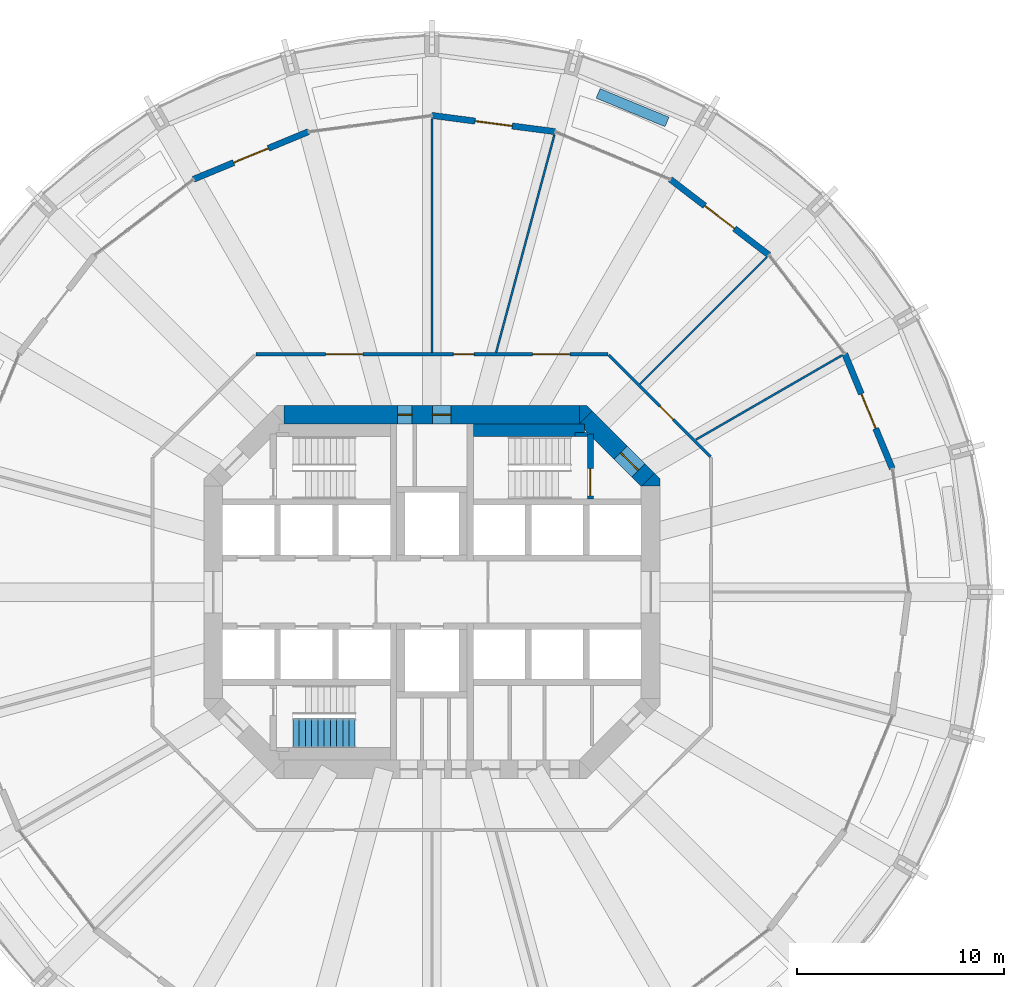
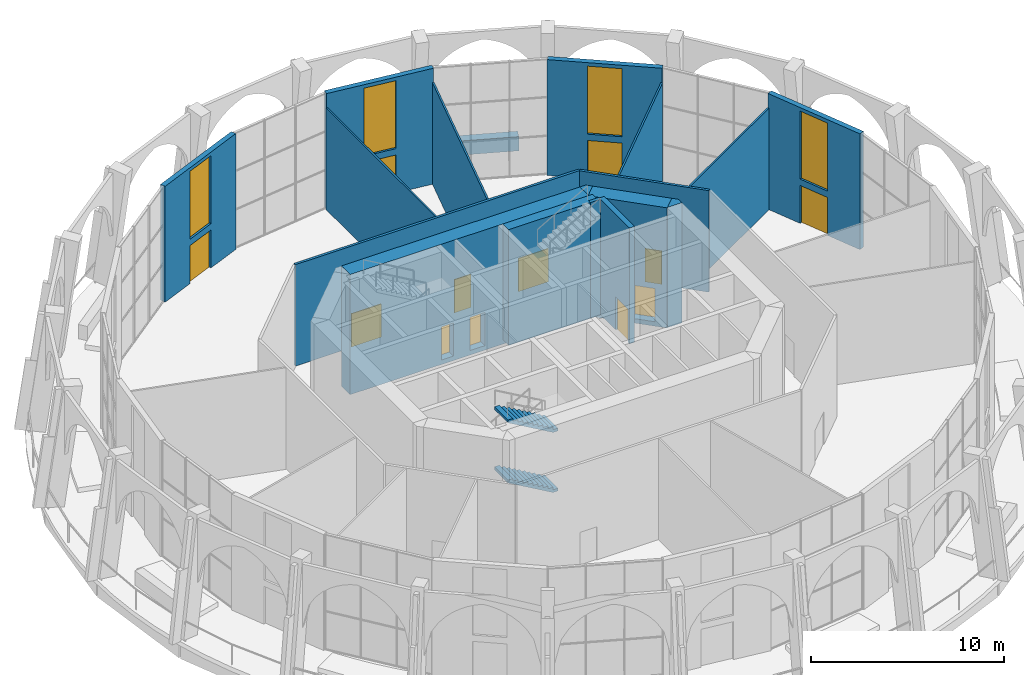
# One storey, part 15 of 19: 18 walls, 12 doors, 4 windows, 2 stair flights, 16 openings, 1 element without a shape of its own.
"""IFC4 building model written with IfcOpenShell, lengths in metres."""

from ifc_helpers import new_model, si_unit, direction, frame, frame_2d, origin, place, context, subcontext, project, spatial, polyline, rectangle, outline, extrude, material, layer, layer_set, type_object, element, fill, aggregate, save


model = new_model("IFC4")

# Units and contexts
model_context = context("Model", 3, precision=1e-05, world=origin(), true_north=direction((0.0, 1.0)))
body_context = subcontext(model_context, "Body", "Model", "MODEL_VIEW")
ifc_project = project(units=[si_unit("LENGTHUNIT", "METRE"), si_unit("AREAUNIT", "SQUARE_METRE"), si_unit("VOLUMEUNIT", "CUBIC_METRE"), si_unit("PLANEANGLEUNIT", "RADIAN"), si_unit("MASSUNIT", "GRAM", prefix="KILO")], contexts=[model_context])

# Site, building, storey
site_placement = place(None, origin())
site = spatial("IfcSite", under=ifc_project, at=site_placement, CompositionType="ELEMENT")
building_placement = place(site_placement, origin())
building = spatial("IfcBuilding", under=site, at=building_placement, Name="Torre Triforio", CompositionType="ELEMENT")
storey_placement = place(building_placement, frame((0.0, 0.0, 79.0)))
storey = spatial("IfcBuildingStorey", under=building, at=storey_placement, Name="L17", CompositionType="ELEMENT", Elevation=79.0)

# Wall, openings, doors
ifc_material_1 = material(Name="Concrete C60", Category="concrete")
ifc_layer_1 = layer(ifc_material_1, 0.89990234375)
ifc_layer_set_1 = layer_set([ifc_layer_1], Name="Concrete C60")
wall_type_1 = type_object("IfcWallType", Name="Core wall 900 mm C60 EI 120", PredefinedType="SHEAR", material=ifc_layer_set_1)
wall_1_placement = place(storey_placement, frame((-7.1298828125, 8.550048828125, -0.280029296875), z_axis=(0.0, 0.0, 1.0), x_axis=(1.0, 0.0, 0.0)))
wall_1 = element("IfcWall", 1, at=wall_1_placement, inside=storey, type_object=wall_type_1, Name="Core wall", PredefinedType="SHEAR", context=body_context, shape_type="SweptSolid", body=[
    extrude(rectangle(XDim=14.259765625, YDim=0.89990234375, at=frame_2d((7.1298828125, 0.0))), origin(), (0.0, 0.0, 1.0), 7.60009765625),
])
opening_1_placement = place(wall_1_placement, frame((5.47998046875, 0.0, 0.280029296875)))
opening_1 = element("IfcOpeningElement", 2, at=opening_1_placement, cuts=wall_1, Name="Opening RISER-N", PredefinedType="OPENING", context=body_context, shape_type="SweptSolid", body=[
    extrude(rectangle(XDim=0.699951171875, YDim=2.10009765625, at=frame_2d((0.35009765625, 1.050048828125))), frame((0.0, 0.4599609375, 0.0), z_axis=(0.0, -1.0, 0.0), x_axis=(1.0, 0.0, 0.0)), (0.0, 0.0, 1.0), 0.919921875),
])
opening_2_placement = place(wall_1_placement, frame((7.155029296875, 0.0, 0.280029296875)))
opening_2 = element("IfcOpeningElement", 3, at=opening_2_placement, cuts=wall_1, Name="Opening NE-01", PredefinedType="OPENING", context=body_context, shape_type="SweptSolid", body=[
    extrude(rectangle(XDim=0.89990234375, YDim=2.10009765625, at=frame_2d((0.449951171875, 1.050048828125))), frame((0.0, 0.4599609375, 0.0), z_axis=(0.0, -1.0, 0.0), x_axis=(1.0, 0.0, 0.0)), (0.0, 0.0, 1.0), 0.919921875),
])
ifc_material_2 = material(Name="Hollow metal fire door leaf")
door_type_1 = type_object("IfcDoorType", Name="Riser door 700 x 2100 EI 60", OperationType="NOTDEFINED", PredefinedType="DOOR", material=ifc_material_2)
door_1_placement = place(opening_1_placement, origin())
door_1 = element("IfcDoor", 4, at=door_1_placement, inside=storey, type_object=door_type_1, Name="Core door RISER-N", OperationType="SINGLE_SWING_LEFT", OverallHeight=2.10009765625, OverallWidth=0.699951171875, PredefinedType="DOOR", context=body_context, shape_type="SweptSolid", body=[
    extrude(rectangle(XDim=0.699951171875, YDim=2.10009765625, at=frame_2d((0.35009765625, 1.050048828125))), frame((0.0, 0.02490234375, 0.0), z_axis=(0.0, -1.0, 0.0), x_axis=(1.0, 0.0, 0.0)), (0.0, 0.0, 1.0), 0.050048828125),
])
fill(opening_1, door_1)
door_type_2 = type_object("IfcDoorType", Name="Room door 900 x 2100 EI 60", OperationType="NOTDEFINED", PredefinedType="DOOR", material=ifc_material_2)
door_2_placement = place(opening_2_placement, origin())
door_2 = element("IfcDoor", 5, at=door_2_placement, inside=storey, type_object=door_type_2, Name="Core door NE-01", OperationType="SINGLE_SWING_RIGHT", OverallHeight=2.10009765625, OverallWidth=0.89990234375, PredefinedType="DOOR", context=body_context, shape_type="SweptSolid", body=[
    extrude(rectangle(XDim=0.89990234375, YDim=2.10009765625, at=frame_2d((0.449951171875, 1.050048828125))), frame((0.0, 0.02490234375, 0.0), z_axis=(0.0, -1.0, 0.0), x_axis=(1.0, 0.0, 0.0)), (0.0, 0.0, 1.0), 0.050048828125),
])
fill(opening_2, door_2)

# Wall, opening, door
wall_2_placement = place(storey_placement, frame((7.418212890625, 8.418212890625, -0.280029296875), z_axis=(0.0, 0.0, 1.0), x_axis=(0.707106781187, -0.707106781187, 0.0)))
wall_2 = element("IfcWall", 6, at=wall_2_placement, inside=storey, type_object=wall_type_1, Name="Core wall", PredefinedType="SHEAR", context=body_context, shape_type="SweptSolid", body=[
    extrude(rectangle(XDim=4.24267578125, YDim=0.89990234375, at=frame_2d((2.121337890625, 0.0))), origin(), (0.0, 0.0, 1.0), 7.60009765625),
])
opening_3_placement = place(wall_2_placement, frame((2.392578125, 0.0, 0.280029296875)))
opening_3 = element("IfcOpeningElement", 7, at=opening_3_placement, cuts=wall_2, Name="Opening ST2-EXIT", PredefinedType="OPENING", context=body_context, shape_type="SweptSolid", body=[
    extrude(rectangle(XDim=1.199951171875, YDim=2.10009765625, at=frame_2d((0.60009765625, 1.050048828125))), frame((0.0, 0.4599609375, 0.0), z_axis=(0.0, -1.0, 0.0), x_axis=(1.0, 0.0, 0.0)), (0.0, 0.0, 1.0), 0.919921875),
])
door_type_3 = type_object("IfcDoorType", Name="Stair lobby door 1200 x 2100 EI 60", OperationType="NOTDEFINED", PredefinedType="DOOR", material=ifc_material_2)
door_3_placement = place(opening_3_placement, origin())
door_3 = element("IfcDoor", 8, at=door_3_placement, inside=storey, type_object=door_type_3, Name="Core door ST2-EXIT", OperationType="SINGLE_SWING_RIGHT", OverallHeight=2.10009765625, OverallWidth=1.199951171875, PredefinedType="DOOR", context=body_context, shape_type="SweptSolid", body=[
    extrude(rectangle(XDim=1.199951171875, YDim=2.10009765625, at=frame_2d((0.60009765625, 1.050048828125))), frame((0.0, 0.02490234375, 0.0), z_axis=(0.0, -1.0, 0.0), x_axis=(1.0, 0.0, 0.0)), (0.0, 0.0, 1.0), 0.050048828125),
])
fill(opening_3, door_3)

# Walls
wall_3_placement = place(storey_placement, frame((0.0, 0.0, -0.280029296875)))
element("IfcWall", 9, at=wall_3_placement, inside=storey, type_object=wall_type_1, Name="Core wall", PredefinedType="SHEAR", context=body_context, shape_type="SweptSolid", body=[
    extrude(outline(polyline([(11.0, 5.472900390625), (11.0, 5.1298828125), (10.1298828125, 5.1298828125), (10.736328125, 5.736328125), (11.0, 5.472900390625)])), origin(), (0.0, 0.0, 1.0), 7.60009765625),
])
wall_4_placement = place(storey_placement, frame((0.0, 0.0, -0.280029296875)))
element("IfcWall", 10, at=wall_4_placement, inside=storey, type_object=wall_type_1, Name="Core wall", PredefinedType="SHEAR", context=body_context, shape_type="SweptSolid", body=[
    extrude(outline(polyline([(7.472900390625, 9.0), (7.736328125, 8.736328125), (7.1298828125, 8.1298828125), (7.1298828125, 9.0), (7.472900390625, 9.0)])), origin(), (0.0, 0.0, 1.0), 7.60009765625),
])

# Wall, openings, doors
ifc_material_3 = material(Name="Plasterboard on metal studs")
ifc_layer_2 = layer(ifc_material_3, 0.14990234375)
ifc_layer_set_2 = layer_set([ifc_layer_2], Name="Plasterboard on metal studs")
wall_type_2 = type_object("IfcWallType", Name="Corridor and tenancy wall 150 mm EI 60", PredefinedType="PARTITIONING", material=ifc_layer_set_2)
wall_5_placement = place(storey_placement, frame((-8.498046875, 11.47509765625, 0.0), z_axis=(0.0, 0.0, 1.0), x_axis=(1.0, 0.0, 0.0)))
wall_5 = element("IfcWall", 11, at=wall_5_placement, inside=storey, type_object=wall_type_2, Name="Partition 6", PredefinedType="PARTITIONING", context=body_context, shape_type="SweptSolid", body=[
    extrude(rectangle(XDim=16.99609375, YDim=0.14990234375, at=frame_2d((8.498046875, 0.0))), origin(), (0.0, 0.0, 1.0), 6.419921875),
])
opening_4_placement = place(wall_5_placement, frame((13.359375, 0.0, 0.0)))
opening_4 = element("IfcOpeningElement", 12, at=opening_4_placement, cuts=wall_5, Name="Opening G1-03", PredefinedType="OPENING", context=body_context, shape_type="SweptSolid", body=[
    extrude(rectangle(XDim=1.800048828125, YDim=2.10009765625, at=frame_2d((0.89990234375, 1.050048828125))), frame((0.0, 0.0849609375, 0.0), z_axis=(0.0, -1.0, 0.0), x_axis=(1.0, 0.0, 0.0)), (0.0, 0.0, 1.0), 0.169921875),
])
opening_5_placement = place(wall_5_placement, frame((9.5361328125, 0.0, 0.0)))
opening_5 = element("IfcOpeningElement", 13, at=opening_5_placement, cuts=wall_5, Name="Opening G1-04", PredefinedType="OPENING", context=body_context, shape_type="SweptSolid", body=[
    extrude(rectangle(XDim=1.0, YDim=2.10009765625, at=frame_2d((0.5, 1.050048828125))), frame((0.0, 0.0849609375, 0.0), z_axis=(0.0, -1.0, 0.0), x_axis=(1.0, 0.0, 0.0)), (0.0, 0.0, 1.0), 0.169921875),
])
opening_6_placement = place(wall_5_placement, frame((3.3740234375, 0.0, 0.0)))
opening_6 = element("IfcOpeningElement", 14, at=opening_6_placement, cuts=wall_5, Name="Opening G1-05", PredefinedType="OPENING", context=body_context, shape_type="SweptSolid", body=[
    extrude(rectangle(XDim=1.800048828125, YDim=2.10009765625, at=frame_2d((0.89990234375, 1.050048828125))), frame((0.0, 0.0849609375, 0.0), z_axis=(0.0, -1.0, 0.0), x_axis=(1.0, 0.0, 0.0)), (0.0, 0.0, 1.0), 0.169921875),
])
ifc_material_4 = material(Name="Timber", Category="wood")
door_type_4 = type_object("IfcDoorType", Name="Door 1000 x 2100 single leaf EI 30", OperationType="NOTDEFINED", PredefinedType="DOOR", material=ifc_material_4)
door_4_placement = place(opening_5_placement, origin())
door_4 = element("IfcDoor", 15, at=door_4_placement, inside=storey, type_object=door_type_4, Name="Door G1-04", OperationType="SINGLE_SWING_LEFT", OverallHeight=2.10009765625, OverallWidth=1.0, PredefinedType="DOOR", context=body_context, shape_type="SweptSolid", body=[
    extrude(rectangle(XDim=1.0, YDim=2.10009765625, at=frame_2d((0.5, 1.050048828125))), frame((0.0, 0.02490234375, 0.0), z_axis=(0.0, -1.0, 0.0), x_axis=(1.0, 0.0, 0.0)), (0.0, 0.0, 1.0), 0.050048828125),
])
fill(opening_5, door_4)
door_type_5 = type_object("IfcDoorType", Name="Door 1800 x 2100 double leaf EI 30", OperationType="DOUBLE_DOOR_SINGLE_SWING", PredefinedType="DOOR", material=ifc_material_4)
door_5_placement = place(opening_4_placement, origin())
door_5 = element("IfcDoor", 16, at=door_5_placement, inside=storey, type_object=door_type_5, Name="Door G1-03", OperationType="DOUBLE_DOOR_SINGLE_SWING", OverallHeight=2.10009765625, OverallWidth=1.800048828125, PredefinedType="DOOR", context=body_context, shape_type="SweptSolid", body=[
    extrude(rectangle(XDim=1.800048828125, YDim=2.10009765625, at=frame_2d((0.89990234375, 1.050048828125))), frame((0.0, 0.02490234375, 0.0), z_axis=(0.0, -1.0, 0.0), x_axis=(1.0, 0.0, 0.0)), (0.0, 0.0, 1.0), 0.050048828125),
])
fill(opening_4, door_5)
door_6_placement = place(opening_6_placement, origin())
door_6 = element("IfcDoor", 17, at=door_6_placement, inside=storey, type_object=door_type_5, Name="Door G1-05", OperationType="DOUBLE_DOOR_SINGLE_SWING", OverallHeight=2.10009765625, OverallWidth=1.800048828125, PredefinedType="DOOR", context=body_context, shape_type="SweptSolid", body=[
    extrude(rectangle(XDim=1.800048828125, YDim=2.10009765625, at=frame_2d((0.89990234375, 1.050048828125))), frame((0.0, 0.02490234375, 0.0), z_axis=(0.0, -1.0, 0.0), x_axis=(1.0, 0.0, 0.0)), (0.0, 0.0, 1.0), 0.050048828125),
])
fill(opening_6, door_6)

# Wall, opening, door
wall_6_placement = place(storey_placement, frame((8.53515625, 11.43798828125, 0.0), z_axis=(0.0, 0.0, 1.0), x_axis=(0.707106781187, -0.707106781187, 0.0)))
wall_6 = element("IfcWall", 18, at=wall_6_placement, inside=storey, type_object=wall_type_2, Name="Partition 7", PredefinedType="PARTITIONING", context=body_context, shape_type="SweptSolid", body=[
    extrude(rectangle(XDim=6.93359375, YDim=0.14990234375, at=frame_2d((3.466796875, 0.0))), origin(), (0.0, 0.0, 1.0), 6.419921875),
])
opening_7_placement = place(wall_6_placement, frame((3.49560546875, 0.0, 0.0)))
opening_7 = element("IfcOpeningElement", 19, at=opening_7_placement, cuts=wall_6, Name="Opening G1-02", PredefinedType="OPENING", context=body_context, shape_type="SweptSolid", body=[
    extrude(rectangle(XDim=0.89990234375, YDim=2.10009765625, at=frame_2d((0.449951171875, 1.050048828125))), frame((0.0, 0.0849609375, 0.0), z_axis=(0.0, -1.0, 0.0), x_axis=(1.0, 0.0, 0.0)), (0.0, 0.0, 1.0), 0.169921875),
])
door_type_6 = type_object("IfcDoorType", Name="Door 900 x 2100 single leaf EI 30", OperationType="NOTDEFINED", PredefinedType="DOOR", material=ifc_material_4)
door_7_placement = place(opening_7_placement, origin())
door_7 = element("IfcDoor", 20, at=door_7_placement, inside=storey, type_object=door_type_6, Name="Door G1-02", OperationType="SINGLE_SWING_LEFT", OverallHeight=2.10009765625, OverallWidth=0.89990234375, PredefinedType="DOOR", context=body_context, shape_type="SweptSolid", body=[
    extrude(rectangle(XDim=0.89990234375, YDim=2.10009765625, at=frame_2d((0.449951171875, 1.050048828125))), frame((0.0, 0.02490234375, 0.0), z_axis=(0.0, -1.0, 0.0), x_axis=(1.0, 0.0, 0.0)), (0.0, 0.0, 1.0), 0.050048828125),
])
fill(opening_7, door_7)

# Walls
ifc_layer_3 = layer(ifc_material_3, 0.10009765625)
ifc_layer_set_3 = layer_set([ifc_layer_3], Name="Plasterboard on metal studs")
wall_type_3 = type_object("IfcWallType", Name="Partition 100 mm board on metal studs", PredefinedType="PARTITIONING", material=ifc_layer_set_3)
wall_7_placement = place(storey_placement, frame((12.742431640625, 7.35693359375, 0.0), z_axis=(0.0, 0.0, 1.0), x_axis=(0.866022418986, 0.500005169787, 0.0)))
element("IfcWall", 21, at=wall_7_placement, inside=storey, type_object=wall_type_3, Name="Partition 10", PredefinedType="PARTITIONING", context=body_context, shape_type="SweptSolid", body=[
    extrude(rectangle(XDim=8.123046875, YDim=0.10009765625, at=frame_2d((4.0615234375, 0.0))), origin(), (0.0, 0.0, 1.0), 6.419921875),
])
wall_8_placement = place(storey_placement, frame((10.03955078125, 10.03955078125, 0.0), z_axis=(0.0, 0.0, 1.0), x_axis=(0.707106781187, 0.707106781187, 0.0)))
element("IfcWall", 22, at=wall_8_placement, inside=storey, type_object=wall_type_3, Name="Partition 11", PredefinedType="PARTITIONING", context=body_context, shape_type="SweptSolid", body=[
    extrude(rectangle(XDim=8.638671875, YDim=0.10009765625, at=frame_2d((4.3193359375, 0.0))), origin(), (0.0, 0.0, 1.0), 6.419921875),
])
wall_9_placement = place(storey_placement, frame((3.0986328125, 11.564208984375, 0.0), z_axis=(0.0, 0.0, 1.0), x_axis=(0.258823321379, 0.965924680454, 0.0)))
element("IfcWall", 23, at=wall_9_placement, inside=storey, type_object=wall_type_3, Name="Partition 12", PredefinedType="PARTITIONING", context=body_context, shape_type="SweptSolid", body=[
    extrude(rectangle(XDim=10.864501953125, YDim=0.10009765625, at=frame_2d((5.43212890625, 0.0))), origin(), (0.0, 0.0, 1.0), 6.419921875),
])
wall_10_placement = place(storey_placement, frame((0.0, 11.550048828125, 0.0), z_axis=(0.0, 0.0, 1.0), x_axis=(0.0, 1.0, 0.0)))
element("IfcWall", 24, at=wall_10_placement, inside=storey, type_object=wall_type_3, Name="Partition 13", PredefinedType="PARTITIONING", context=body_context, shape_type="SweptSolid", body=[
    extrude(rectangle(XDim=11.28662109375, YDim=0.10009765625, at=frame_2d((5.643310546875, 0.0))), origin(), (0.0, 0.0, 1.0), 6.419921875),
])
ifc_material_5 = material(Name="Limestone cladding", Category="masonry")
ifc_layer_4 = layer(ifc_material_5, 0.10009765625)
ifc_material_6 = material(Name="Concrete C40", Category="concrete")
ifc_layer_5 = layer(ifc_material_6, 0.39990234375)
ifc_layer_set_4 = layer_set([ifc_layer_4, ifc_layer_5], Name="Limestone cladding / Concrete C40")
wall_type_4 = type_object("IfcWallType", Name="Planter wall 500", PredefinedType="PARAPET", material=ifc_layer_set_4)
wall_11_placement = place(storey_placement, frame((11.344970703125, 22.685302734375, 0.0), z_axis=(0.0, 0.0, 1.0), x_axis=(-0.923885420167, 0.382669217998, 0.0)))
element("IfcWall", 25, at=wall_11_placement, inside=storey, type_object=wall_type_4, Name="Planter L17 bay 05", PredefinedType="PARAPET", context=body_context, shape_type="SweptSolid", body=[
    extrude(rectangle(XDim=3.60009765625, YDim=0.5, at=frame_2d((1.800048828125, 0.0))), origin(), (0.0, 0.0, 1.0), 0.89990234375),
])
ifc_layer_6 = layer(ifc_material_1, 0.199951171875)
ifc_layer_set_5 = layer_set([ifc_layer_6], Name="Concrete C60")
wall_type_5 = type_object("IfcWallType", Name="Stair wall 200 mm C60 EI 120", PredefinedType="SHEAR", material=ifc_layer_set_5)
wall_12_placement = place(storey_placement, frame((6.89990234375, 7.60009765625, 0.0), z_axis=(0.0, 0.0, 1.0), x_axis=(1.0, 0.0, 0.0)))
element("IfcWall", 26, at=wall_12_placement, inside=storey, type_object=wall_type_5, Name="Stair wall", PredefinedType="SHEAR", context=body_context, shape_type="SweptSolid", body=[
    extrude(rectangle(XDim=0.60009765625, YDim=0.199951171875, at=frame_2d((0.300048828125, 0.0))), origin(), (0.0, 0.0, 1.0), 7.320068359375),
])

# Wall, opening, door
ifc_layer_7 = layer(ifc_material_1, 0.300048828125)
ifc_layer_set_6 = layer_set([ifc_layer_7], Name="Concrete C60")
wall_type_6 = type_object("IfcWallType", Name="Stair wall 300 mm C60 EI 120", PredefinedType="SHEAR", material=ifc_layer_set_6)
wall_13_placement = place(storey_placement, frame((7.64990234375, 4.5, 0.0), z_axis=(0.0, 0.0, 1.0), x_axis=(0.0, 1.0, 0.0)))
wall_13 = element("IfcWall", 27, at=wall_13_placement, inside=storey, type_object=wall_type_6, Name="Stair wall", PredefinedType="SHEAR", context=body_context, shape_type="SweptSolid", body=[
    extrude(rectangle(XDim=3.139892578125, YDim=0.300048828125, at=frame_2d((1.56982421875, 0.0))), origin(), (0.0, 0.0, 1.0), 7.320068359375),
])
opening_8_placement = place(wall_13_placement, frame((0.139892578125, 0.0, 0.0)))
opening_8 = element("IfcOpeningElement", 28, at=opening_8_placement, cuts=wall_13, Name="Opening ST2-STA", PredefinedType="OPENING", context=body_context, shape_type="SweptSolid", body=[
    extrude(rectangle(XDim=1.320068359375, YDim=2.10009765625, at=frame_2d((0.66015625, 1.050048828125))), frame((0.0, 0.159912109375, 0.0), z_axis=(0.0, -1.0, 0.0), x_axis=(1.0, 0.0, 0.0)), (0.0, 0.0, 1.0), 0.320068359375),
])
door_type_7 = type_object("IfcDoorType", Name="Stair door 1320 x 2100 EI 90", OperationType="DOUBLE_DOOR_SINGLE_SWING", PredefinedType="DOOR", material=ifc_material_2)
door_8_placement = place(opening_8_placement, origin())
door_8 = element("IfcDoor", 29, at=door_8_placement, inside=storey, type_object=door_type_7, Name="Core door ST2-ST", OperationType="DOUBLE_DOOR_SINGLE_SWING", OverallHeight=2.10009765625, OverallWidth=1.320068359375, PredefinedType="DOOR", context=body_context, shape_type="SweptSolid", body=[
    extrude(rectangle(XDim=1.320068359375, YDim=2.10009765625, at=frame_2d((0.66015625, 1.050048828125))), frame((0.0, 0.02490234375, 0.0), z_axis=(0.0, -1.0, 0.0), x_axis=(1.0, 0.0, 0.0)), (0.0, 0.0, 1.0), 0.050048828125),
])
fill(opening_8, door_8)

# Wall
ifc_layer_8 = layer(ifc_material_1, 0.60009765625)
ifc_layer_set_7 = layer_set([ifc_layer_8], Name="Concrete C60")
wall_type_7 = type_object("IfcWallType", Name="Stair wall 600 mm C60 EI 120", PredefinedType="SHEAR", material=ifc_layer_set_7)
wall_14_placement = place(storey_placement, frame((2.0, 7.800048828125, 0.0), z_axis=(0.0, 0.0, 1.0), x_axis=(1.0, 0.0, 0.0)))
element("IfcWall", 30, at=wall_14_placement, inside=storey, type_object=wall_type_7, Name="Stair wall", PredefinedType="SHEAR", context=body_context, shape_type="SweptSolid", body=[
    extrude(rectangle(XDim=5.3701171875, YDim=0.60009765625, at=frame_2d((2.68505859375, 0.0))), origin(), (0.0, 0.0, 1.0), 7.320068359375),
])

# Wall, openings, window, door
ifc_layer_9 = layer(ifc_material_5, 0.10009765625)
ifc_layer_10 = layer(ifc_material_6, 0.199951171875)
ifc_layer_set_8 = layer_set([ifc_layer_9, ifc_layer_10], Name="Limestone cladding / Concrete C40")
wall_type_8 = type_object("IfcWallType", Name="Stone-faced composite wall 300", PredefinedType="STANDARD", material=ifc_layer_set_8)
wall_15_placement = place(storey_placement, frame((22.21630859375, 5.952880859375, 0.0), z_axis=(0.0, 0.0, 1.0), x_axis=(-0.382671411433, 0.923884511653, 0.0)))
wall_15 = element("IfcWall", 31, at=wall_15_placement, inside=storey, type_object=wall_type_8, Name="External wall L17 bay 02", PredefinedType="STANDARD", context=body_context, shape_type="SweptSolid", body=[
    extrude(rectangle(XDim=6.004150390625, YDim=0.300048828125, at=frame_2d((3.001953125, 0.0))), origin(), (0.0, 0.0, 1.0), 7.320068359375),
])
opening_9_placement = place(wall_15_placement, frame((2.10205078125, 0.0, 0.0)))
opening_9 = element("IfcOpeningElement", 32, at=opening_9_placement, cuts=wall_15, Name="Opening G1-D02", PredefinedType="OPENING", context=body_context, shape_type="SweptSolid", body=[
    extrude(rectangle(XDim=1.800048828125, YDim=2.39990234375, at=frame_2d((0.89990234375, 1.199951171875))), frame((0.0, 0.159912109375, 0.0), z_axis=(0.0, -1.0, 0.0), x_axis=(1.0, 0.0, 0.0)), (0.0, 0.0, 1.0), 0.320068359375),
])
opening_10_placement = place(wall_15_placement, frame((2.10205078125, 0.0, 2.800048828125)))
opening_10 = element("IfcOpeningElement", 33, at=opening_10_placement, cuts=wall_15, Name="Opening G1-W02", PredefinedType="OPENING", context=body_context, shape_type="SweptSolid", body=[
    extrude(rectangle(XDim=1.800048828125, YDim=4.300048828125, at=frame_2d((0.89990234375, 2.14990234375))), frame((0.0, 0.159912109375, 0.0), z_axis=(0.0, -1.0, 0.0), x_axis=(1.0, 0.0, 0.0)), (0.0, 0.0, 1.0), 0.320068359375),
])
ifc_material_7 = material(Name="Aluminium frame with clear double glazing", Category="aluminium")
window_type = type_object("IfcWindowType", Name="Garden clerestory window 1800 x 4300", PartitioningType="DOUBLE_PANEL_VERTICAL", PredefinedType="WINDOW", material=ifc_material_7)
window_1_placement = place(opening_10_placement, origin())
window_1 = element("IfcWindow", 34, at=window_1_placement, inside=storey, type_object=window_type, Name="Clerestory EWN21 L17 bay 02", OverallHeight=4.300048828125, OverallWidth=1.800048828125, PartitioningType="SINGLE_PANEL", PredefinedType="WINDOW", context=body_context, shape_type="SweptSolid", body=[
    extrude(rectangle(XDim=1.800048828125, YDim=4.300048828125, at=frame_2d((0.89990234375, 2.14990234375))), frame((0.0, 0.030029296875, 0.0), z_axis=(0.0, -1.0, 0.0), x_axis=(1.0, 0.0, 0.0)), (0.0, 0.0, 1.0), 0.06005859375),
])
fill(opening_10, window_1)
door_type_8 = type_object("IfcDoorType", Name="Terrace double door 1800 x 2400", OperationType="DOUBLE_DOOR_SINGLE_SWING", PredefinedType="DOOR", material=ifc_material_7)
door_9_placement = place(opening_9_placement, origin())
door_9 = element("IfcDoor", 35, at=door_9_placement, inside=storey, type_object=door_type_8, Name="Terrace door L17 bay 02", OperationType="SINGLE_SWING_LEFT", OverallHeight=2.39990234375, OverallWidth=1.800048828125, PredefinedType="DOOR", context=body_context, shape_type="SweptSolid", body=[
    extrude(rectangle(XDim=1.800048828125, YDim=2.39990234375, at=frame_2d((0.89990234375, 1.199951171875))), frame((0.0, 0.02490234375, 0.0), z_axis=(0.0, -1.0, 0.0), x_axis=(1.0, 0.0, 0.0)), (0.0, 0.0, 1.0), 0.050048828125),
])
fill(opening_9, door_9)

wall_16_placement = place(storey_placement, frame((16.263427734375, 16.263427734375, 0.0), z_axis=(0.0, 0.0, 1.0), x_axis=(-0.793339924758, 0.608778912074, 0.0)))
wall_16 = element("IfcWall", 36, at=wall_16_placement, inside=storey, type_object=wall_type_8, Name="External wall L17 bay 04", PredefinedType="STANDARD", context=body_context, shape_type="SweptSolid", body=[
    extrude(rectangle(XDim=6.004150390625, YDim=0.300048828125, at=frame_2d((3.001953125, 0.0))), origin(), (0.0, 0.0, 1.0), 7.320068359375),
])
opening_11_placement = place(wall_16_placement, frame((2.10205078125, 0.0, 0.0)))
opening_11 = element("IfcOpeningElement", 37, at=opening_11_placement, cuts=wall_16, Name="Opening G1-D04", PredefinedType="OPENING", context=body_context, shape_type="SweptSolid", body=[
    extrude(rectangle(XDim=1.800048828125, YDim=2.39990234375, at=frame_2d((0.89990234375, 1.199951171875))), frame((0.0, 0.159912109375, 0.0), z_axis=(0.0, -1.0, 0.0), x_axis=(1.0, 0.0, 0.0)), (0.0, 0.0, 1.0), 0.320068359375),
])
opening_12_placement = place(wall_16_placement, frame((2.10205078125, 0.0, 2.800048828125)))
opening_12 = element("IfcOpeningElement", 38, at=opening_12_placement, cuts=wall_16, Name="Opening G1-W04", PredefinedType="OPENING", context=body_context, shape_type="SweptSolid", body=[
    extrude(rectangle(XDim=1.800048828125, YDim=4.300048828125, at=frame_2d((0.89990234375, 2.14990234375))), frame((0.0, 0.159912109375, 0.0), z_axis=(0.0, -1.0, 0.0), x_axis=(1.0, 0.0, 0.0)), (0.0, 0.0, 1.0), 0.320068359375),
])
window_2_placement = place(opening_12_placement, origin())
window_2 = element("IfcWindow", 39, at=window_2_placement, inside=storey, type_object=window_type, Name="Clerestory EWN21 L17 bay 04", OverallHeight=4.300048828125, OverallWidth=1.800048828125, PartitioningType="SINGLE_PANEL", PredefinedType="WINDOW", context=body_context, shape_type="SweptSolid", body=[
    extrude(rectangle(XDim=1.800048828125, YDim=4.300048828125, at=frame_2d((0.89990234375, 2.14990234375))), frame((0.0, 0.030029296875, 0.0), z_axis=(0.0, -1.0, 0.0), x_axis=(1.0, 0.0, 0.0)), (0.0, 0.0, 1.0), 0.06005859375),
])
fill(opening_12, window_2)
door_10_placement = place(opening_11_placement, origin())
door_10 = element("IfcDoor", 40, at=door_10_placement, inside=storey, type_object=door_type_8, Name="Terrace door L17 bay 04", OperationType="SINGLE_SWING_LEFT", OverallHeight=2.39990234375, OverallWidth=1.800048828125, PredefinedType="DOOR", context=body_context, shape_type="SweptSolid", body=[
    extrude(rectangle(XDim=1.800048828125, YDim=2.39990234375, at=frame_2d((0.89990234375, 1.199951171875))), frame((0.0, 0.02490234375, 0.0), z_axis=(0.0, -1.0, 0.0), x_axis=(1.0, 0.0, 0.0)), (0.0, 0.0, 1.0), 0.050048828125),
])
fill(opening_11, door_10)

wall_17_placement = place(storey_placement, frame((5.952880859375, 22.21630859375, 0.0), z_axis=(0.0, 0.0, 1.0), x_axis=(-0.991445297315, 0.130522880875, 0.0)))
wall_17 = element("IfcWall", 41, at=wall_17_placement, inside=storey, type_object=wall_type_8, Name="External wall L17 bay 06", PredefinedType="STANDARD", context=body_context, shape_type="SweptSolid", body=[
    extrude(rectangle(XDim=6.004150390625, YDim=0.300048828125, at=frame_2d((3.001953125, 0.0))), origin(), (0.0, 0.0, 1.0), 7.320068359375),
])
opening_13_placement = place(wall_17_placement, frame((2.10205078125, 0.0, 0.0)))
opening_13 = element("IfcOpeningElement", 42, at=opening_13_placement, cuts=wall_17, Name="Opening G1-D06", PredefinedType="OPENING", context=body_context, shape_type="SweptSolid", body=[
    extrude(rectangle(XDim=1.800048828125, YDim=2.39990234375, at=frame_2d((0.89990234375, 1.199951171875))), frame((0.0, 0.159912109375, 0.0), z_axis=(0.0, -1.0, 0.0), x_axis=(1.0, 0.0, 0.0)), (0.0, 0.0, 1.0), 0.320068359375),
])
opening_14_placement = place(wall_17_placement, frame((2.10205078125, 0.0, 2.800048828125)))
opening_14 = element("IfcOpeningElement", 43, at=opening_14_placement, cuts=wall_17, Name="Opening G1-W06", PredefinedType="OPENING", context=body_context, shape_type="SweptSolid", body=[
    extrude(rectangle(XDim=1.800048828125, YDim=4.300048828125, at=frame_2d((0.89990234375, 2.14990234375))), frame((0.0, 0.159912109375, 0.0), z_axis=(0.0, -1.0, 0.0), x_axis=(1.0, 0.0, 0.0)), (0.0, 0.0, 1.0), 0.320068359375),
])
window_3_placement = place(opening_14_placement, origin())
window_3 = element("IfcWindow", 44, at=window_3_placement, inside=storey, type_object=window_type, Name="Clerestory EWN21 L17 bay 06", OverallHeight=4.300048828125, OverallWidth=1.800048828125, PartitioningType="SINGLE_PANEL", PredefinedType="WINDOW", context=body_context, shape_type="SweptSolid", body=[
    extrude(rectangle(XDim=1.800048828125, YDim=4.300048828125, at=frame_2d((0.89990234375, 2.14990234375))), frame((0.0, 0.030029296875, 0.0), z_axis=(0.0, -1.0, 0.0), x_axis=(1.0, 0.0, 0.0)), (0.0, 0.0, 1.0), 0.06005859375),
])
fill(opening_14, window_3)
door_11_placement = place(opening_13_placement, origin())
door_11 = element("IfcDoor", 45, at=door_11_placement, inside=storey, type_object=door_type_8, Name="Terrace door L17 bay 06", OperationType="SINGLE_SWING_LEFT", OverallHeight=2.39990234375, OverallWidth=1.800048828125, PredefinedType="DOOR", context=body_context, shape_type="SweptSolid", body=[
    extrude(rectangle(XDim=1.800048828125, YDim=2.39990234375, at=frame_2d((0.89990234375, 1.199951171875))), frame((0.0, 0.02490234375, 0.0), z_axis=(0.0, -1.0, 0.0), x_axis=(1.0, 0.0, 0.0)), (0.0, 0.0, 1.0), 0.050048828125),
])
fill(opening_13, door_11)

wall_18_placement = place(storey_placement, frame((-5.952880859375, 22.21630859375, 0.0), z_axis=(0.0, 0.0, 1.0), x_axis=(-0.923884511653, -0.382671411433, 0.0)))
wall_18 = element("IfcWall", 46, at=wall_18_placement, inside=storey, type_object=wall_type_8, Name="External wall L17 bay 08", PredefinedType="STANDARD", context=body_context, shape_type="SweptSolid", body=[
    extrude(rectangle(XDim=6.004150390625, YDim=0.300048828125, at=frame_2d((3.001953125, 0.0))), origin(), (0.0, 0.0, 1.0), 7.320068359375),
])
opening_15_placement = place(wall_18_placement, frame((2.10205078125, 0.0, 0.0)))
opening_15 = element("IfcOpeningElement", 47, at=opening_15_placement, cuts=wall_18, Name="Opening G1-D08", PredefinedType="OPENING", context=body_context, shape_type="SweptSolid", body=[
    extrude(rectangle(XDim=1.800048828125, YDim=2.39990234375, at=frame_2d((0.89990234375, 1.199951171875))), frame((0.0, 0.159912109375, 0.0), z_axis=(0.0, -1.0, 0.0), x_axis=(1.0, 0.0, 0.0)), (0.0, 0.0, 1.0), 0.320068359375),
])
opening_16_placement = place(wall_18_placement, frame((2.10205078125, 0.0, 2.800048828125)))
opening_16 = element("IfcOpeningElement", 48, at=opening_16_placement, cuts=wall_18, Name="Opening G1-W08", PredefinedType="OPENING", context=body_context, shape_type="SweptSolid", body=[
    extrude(rectangle(XDim=1.800048828125, YDim=4.300048828125, at=frame_2d((0.89990234375, 2.14990234375))), frame((0.0, 0.159912109375, 0.0), z_axis=(0.0, -1.0, 0.0), x_axis=(1.0, 0.0, 0.0)), (0.0, 0.0, 1.0), 0.320068359375),
])
window_4_placement = place(opening_16_placement, origin())
window_4 = element("IfcWindow", 49, at=window_4_placement, inside=storey, type_object=window_type, Name="Clerestory EWN21 L17 bay 08", OverallHeight=4.300048828125, OverallWidth=1.800048828125, PartitioningType="SINGLE_PANEL", PredefinedType="WINDOW", context=body_context, shape_type="SweptSolid", body=[
    extrude(rectangle(XDim=1.800048828125, YDim=4.300048828125, at=frame_2d((0.89990234375, 2.14990234375))), frame((0.0, 0.030029296875, 0.0), z_axis=(0.0, -1.0, 0.0), x_axis=(1.0, 0.0, 0.0)), (0.0, 0.0, 1.0), 0.06005859375),
])
fill(opening_16, window_4)
door_12_placement = place(opening_15_placement, origin())
door_12 = element("IfcDoor", 50, at=door_12_placement, inside=storey, type_object=door_type_8, Name="Terrace door L17 bay 08", OperationType="SINGLE_SWING_LEFT", OverallHeight=2.39990234375, OverallWidth=1.800048828125, PredefinedType="DOOR", context=body_context, shape_type="SweptSolid", body=[
    extrude(rectangle(XDim=1.800048828125, YDim=2.39990234375, at=frame_2d((0.89990234375, 1.199951171875))), frame((0.0, 0.02490234375, 0.0), z_axis=(0.0, -1.0, 0.0), x_axis=(1.0, 0.0, 0.0)), (0.0, 0.0, 1.0), 0.050048828125),
])
fill(opening_15, door_12)

# Stair, stair flights
stair_type = type_object("IfcStairType", Name="STAIR DOUBLE RETURN", PredefinedType="DOUBLE_RETURN_STAIR", material=ifc_material_6)
stair_placement = place(storey_placement, origin())
stair = element("IfcStair", 51, at=stair_placement, inside=storey, type_object=stair_type, Name="Exit stair 3", PredefinedType="DOUBLE_RETURN_STAIR")
stair_flight_type = type_object("IfcStairFlightType", Name="STAIR FLIGHT 1400", PredefinedType="STRAIGHT", material=ifc_material_6)
stair_flight_1_placement = place(storey_placement, frame((-3.699951171875, -6.800048828125, 1.89990234375), z_axis=(0.0, 0.0, 1.0), x_axis=(-1.0, 0.0, 0.0)))
stair_flight_1 = element("IfcStairFlight", 52, at=stair_flight_1_placement, type_object=stair_flight_type, Name="ST3 flight 2", NumberOfRisers=11, NumberOfTreads=10, PredefinedType="STRAIGHT", RiserHeight=0.172727273, TreadLength=0.3, context=body_context, shape_type="SweptSolid", body=[
    extrude(outline(polyline([(0.0, 0.0), (0.0, 0.172607421875), (0.300048828125, 0.172607421875), (0.300048828125, 0.345458984375), (0.60009765625, 0.345458984375), (0.60009765625, 0.51806640625), (0.89990234375, 0.51806640625), (0.89990234375, 0.69091796875), (1.199951171875, 0.69091796875), (1.199951171875, 0.863525390625), (1.5, 0.863525390625), (1.5, 1.036376953125), (1.800048828125, 1.036376953125), (1.800048828125, 1.208984375), (2.10009765625, 1.208984375), (2.10009765625, 1.3818359375), (2.39990234375, 1.3818359375), (2.39990234375, 1.554443359375), (2.699951171875, 1.554443359375), (2.699951171875, 1.727294921875), (3.0, 1.727294921875), (3.0, 1.89990234375), (3.0, 1.55419921875), (0.300537109375, 0.0), (0.0, 0.0)])), frame((0.0, 0.699951171875, 0.0), z_axis=(0.0, -1.0, 0.0), x_axis=(1.0, 0.0, 0.0)), (0.0, 0.0, 1.0), 1.39990234375),
])
stair_flight_2_placement = place(storey_placement, frame((-3.699951171875, -6.800048828125, 5.699951171875), z_axis=(0.0, 0.0, 1.0), x_axis=(-1.0, 0.0, 0.0)))
stair_flight_2 = element("IfcStairFlight", 53, at=stair_flight_2_placement, type_object=stair_flight_type, Name="ST3 flight 4", NumberOfRisers=11, NumberOfTreads=10, PredefinedType="STRAIGHT", RiserHeight=0.172727273, TreadLength=0.3, context=body_context, shape_type="SweptSolid", body=[
    extrude(outline(polyline([(0.0, 0.0), (0.0, 0.172607421875), (0.300048828125, 0.172607421875), (0.300048828125, 0.345458984375), (0.60009765625, 0.345458984375), (0.60009765625, 0.51806640625), (0.89990234375, 0.51806640625), (0.89990234375, 0.69091796875), (1.199951171875, 0.69091796875), (1.199951171875, 0.863525390625), (1.5, 0.863525390625), (1.5, 1.036376953125), (1.800048828125, 1.036376953125), (1.800048828125, 1.208984375), (2.10009765625, 1.208984375), (2.10009765625, 1.3818359375), (2.39990234375, 1.3818359375), (2.39990234375, 1.554443359375), (2.699951171875, 1.554443359375), (2.699951171875, 1.727294921875), (3.0, 1.727294921875), (3.0, 1.89990234375), (3.0, 1.55419921875), (0.300537109375, 0.0), (0.0, 0.0)])), frame((0.0, 0.699951171875, 0.0), z_axis=(0.0, -1.0, 0.0), x_axis=(1.0, 0.0, 0.0)), (0.0, 0.0, 1.0), 1.39990234375),
])
aggregate(stair, [stair_flight_1, stair_flight_2])

save(model, "model.ifc")
